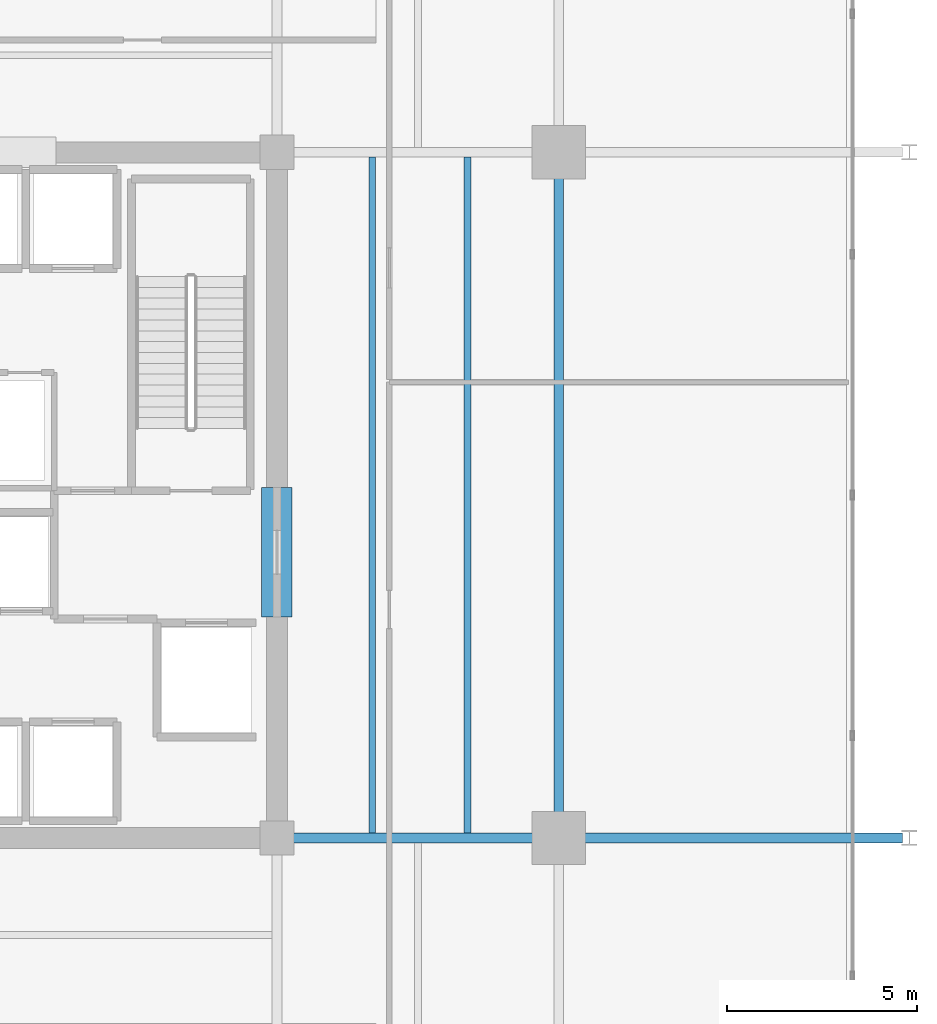
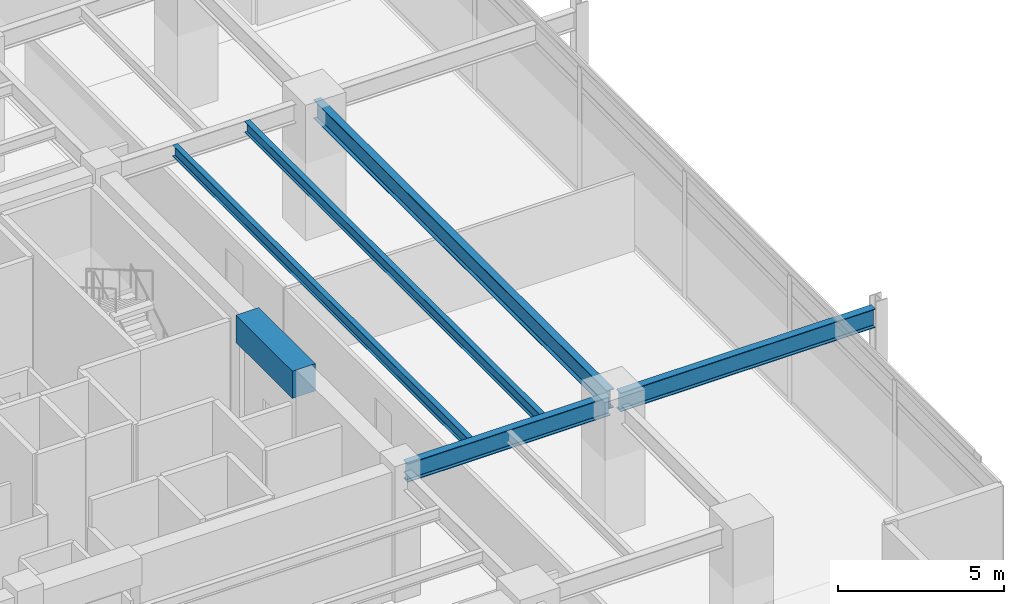
# One storey, part 8 of 25: 6 beams.
"""IFC4 building model written with IfcOpenShell, lengths in metres."""

from ifc_helpers import new_model, si_unit, direction, frame, origin, origin_2d, place, context, subcontext, project, spatial, rectangle, i_section, extrude, material, material_profile, profile_set, type_object, element, save


model = new_model("IFC4")

# Units and contexts
model_context = context("Model", 3, precision=1e-05, world=origin(), true_north=direction((0.0, 1.0)))
body_context = subcontext(model_context, "Body", "Model", "MODEL_VIEW")
ifc_project = project(units=[si_unit("LENGTHUNIT", "METRE"), si_unit("AREAUNIT", "SQUARE_METRE"), si_unit("VOLUMEUNIT", "CUBIC_METRE"), si_unit("PLANEANGLEUNIT", "RADIAN"), si_unit("MASSUNIT", "GRAM", prefix="KILO")], contexts=[model_context])

# Site, building, storey
site_placement = place(None, origin())
site = spatial("IfcSite", under=ifc_project, at=site_placement, CompositionType="ELEMENT")
building_placement = place(site_placement, origin())
building = spatial("IfcBuilding", under=site, at=building_placement, Name="Kovane Verandah Tower", CompositionType="ELEMENT")
storey_placement = place(building_placement, frame((0.0, 0.0, 233.199951171875)))
storey = spatial("IfcBuildingStorey", under=building, at=storey_placement, Name="L54", CompositionType="ELEMENT", Elevation=233.199951171875)

# Beams
ifc_material_1 = material(Name="Concrete C60/75", Category="concrete")
ifc_material_profile_1 = material_profile(ifc_material_1, rectangle(XDim=0.800048828125, YDim=1.0, at=origin_2d()), Name="RCB800x1000")
ifc_profile_set_1 = profile_set([ifc_material_profile_1], Name="Concrete C60/75")
beam_type_1 = type_object("IfcBeamType", Name="BM-LINTEL-800x1000", PredefinedType="LINTEL", material=ifc_profile_set_1)
beam_1_placement = place(storey_placement, frame((51.0, 24.300048828125, 4.199951171875), z_axis=(0.0, 1.0, 0.0), x_axis=(-1.0, 0.0, 0.0)))
element("IfcBeam", 1, at=beam_1_placement, inside=storey, type_object=beam_type_1, Name="L54 Core Coupling Lintel CL-E", PredefinedType="LINTEL", context=body_context, shape_type="SweptSolid", body=[
    extrude(rectangle(XDim=0.800048828125, YDim=1.0, at=origin_2d()), origin(), (0.0, 0.0, 1.0), 3.39990234375),
])
ifc_material_2 = material(Name="Steel S355", Category="steel")
ifc_material_profile_2 = material_profile(ifc_material_2, i_section(OverallWidth=0.255859375, OverallDepth=0.69287109375, WebThickness=0.014404296875, FlangeThickness=0.023681640625, FilletRadius=0.01513671875, at=origin_2d()), Name="UB686x254x170")
ifc_profile_set_2 = profile_set([ifc_material_profile_2], Name="Steel S355")
beam_type_2 = type_object("IfcBeamType", Name="BM-UB686x170", PredefinedType="BEAM", material=ifc_profile_set_2)
beam_2_placement = place(storey_placement, frame((58.39990234375, 18.679931640625, 4.353759765625), z_axis=(0.0, 1.0, 0.0), x_axis=(-1.0, 0.0, 0.0)))
element("IfcBeam", 2, at=beam_2_placement, inside=storey, type_object=beam_type_2, Name="L54 Primary Tower Girder G-RE2", PredefinedType="BEAM", context=body_context, shape_type="SweptSolid", body=[
    extrude(i_section(OverallWidth=0.255859375, OverallDepth=0.69287109375, WebThickness=0.014404296875, FlangeThickness=0.023681640625, FilletRadius=0.01513671875, at=origin_2d()), origin(), (0.0, 0.0, 1.0), 17.64013671875),
])
beam_3_placement = place(storey_placement, frame((51.179931640625, 18.5, 4.353759765625), z_axis=(1.0, 0.0, 0.0), x_axis=(0.0, 1.0, 0.0)))
element("IfcBeam", 3, at=beam_3_placement, inside=storey, type_object=beam_type_2, Name="L54 Primary Tower Girder G-E1", PredefinedType="BEAM", context=body_context, shape_type="SweptSolid", body=[
    extrude(i_section(OverallWidth=0.255859375, OverallDepth=0.69287109375, WebThickness=0.014404296875, FlangeThickness=0.023681640625, FilletRadius=0.01513671875, at=origin_2d()), origin(), (0.0, 0.0, 1.0), 7.0400390625),
])
beam_4_placement = place(storey_placement, frame((58.580078125, 18.5, 4.353759765625), z_axis=(1.0, 0.0, 0.0), x_axis=(0.0, 1.0, 0.0)))
element("IfcBeam", 4, at=beam_4_placement, inside=storey, type_object=beam_type_2, Name="L54 Primary Tower Girder G-VE1", PredefinedType="BEAM", context=body_context, shape_type="SweptSolid", body=[
    extrude(i_section(OverallWidth=0.255859375, OverallDepth=0.69287109375, WebThickness=0.014404296875, FlangeThickness=0.023681640625, FilletRadius=0.01513671875, at=origin_2d()), origin(), (0.0, 0.0, 1.0), 8.83984375),
])
ifc_material_profile_3 = material_profile(ifc_material_2, i_section(OverallWidth=0.179443359375, OverallDepth=0.412841796875, WebThickness=0.009521484375, FlangeThickness=0.01611328125, FilletRadius=0.01025390625, at=origin_2d()), Name="UB406x178x74")
ifc_profile_set_3 = profile_set([ifc_material_profile_3], Name="Steel S355")
beam_type_3 = type_object("IfcBeamType", Name="JST-UB406x74", PredefinedType="JOIST", material=ifc_profile_set_3)
for number, where, z_axis, x_axis, name in (
    (5, (53.5, 18.6259765625, 4.49365234375), (0.0, 1.0, 0.0), (-1.0, 0.0, 0.0), "L54 Secondary Composite Joist J-E1"),
    (6, (56.0, 18.6259765625, 4.49365234375), (0.0, 1.0, 0.0), (-1.0, 0.0, 0.0), "L54 Secondary Composite Joist J-E2"),
):
    element("IfcBeam", number, at=place(storey_placement, frame(where, z_axis=z_axis, x_axis=x_axis)), inside=storey, type_object=beam_type_3, Name=name, PredefinedType="JOIST", context=body_context, shape_type="SweptSolid", body=[
        extrude(i_section(OverallWidth=0.179443359375, OverallDepth=0.412841796875, WebThickness=0.009521484375, FlangeThickness=0.01611328125, FilletRadius=0.01025390625, at=origin_2d()), origin(), (0.0, 0.0, 1.0), 17.748046875),
    ])

save(model, "model.ifc")
